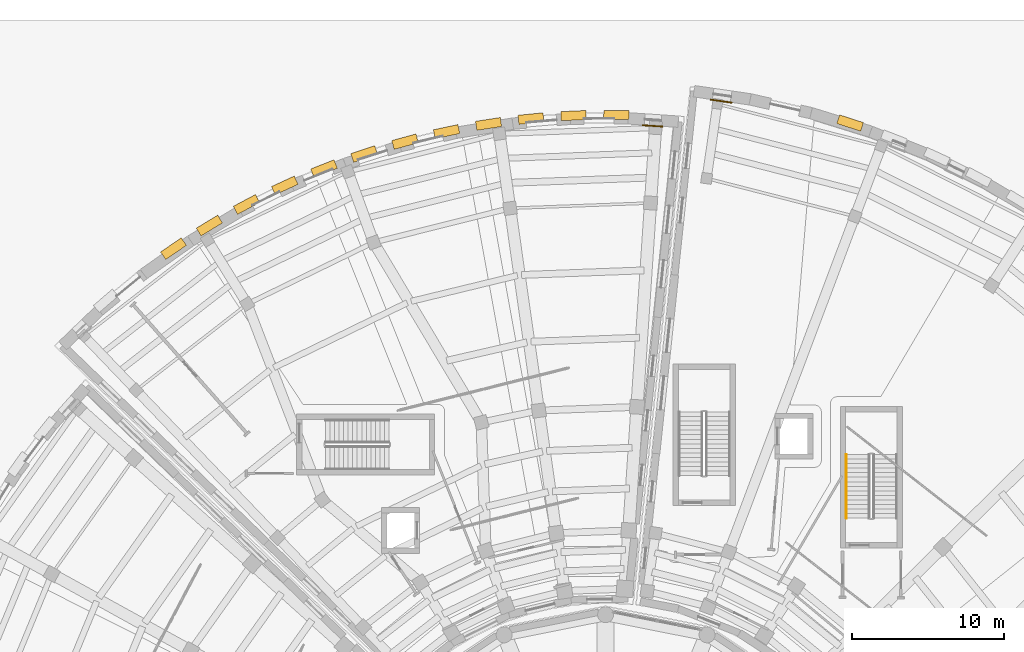
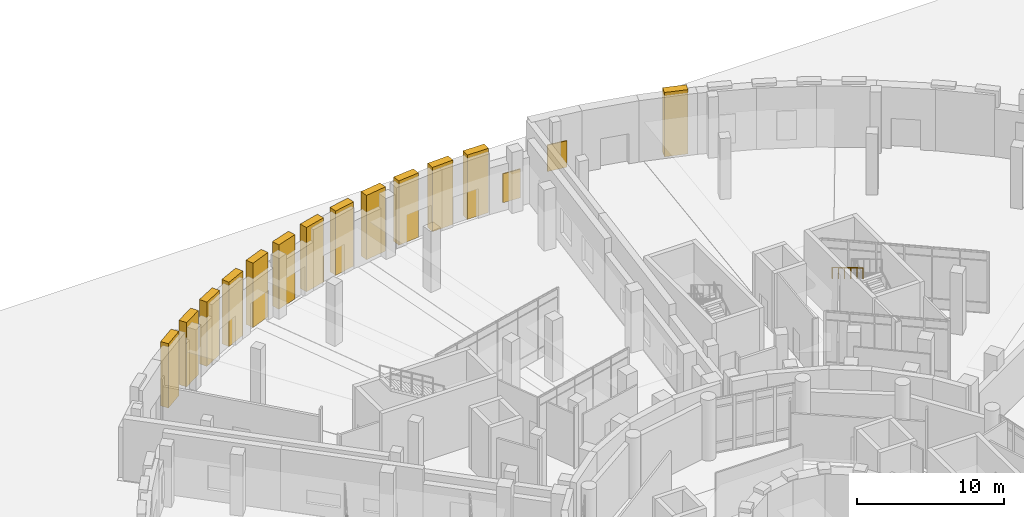
# One storey, part 69 of 74: 15 coverings, 1 railing.
"""IFC4 building model written with IfcOpenShell, lengths in metres."""

from ifc_helpers import new_model, si_unit, direction, frame, origin, origin_2d, place, context, subcontext, project, spatial, rectangle, circle, extrude, material, type_object, element, save


model = new_model("IFC4")

# Units and contexts
model_context = context("Model", 3, precision=1e-05, world=origin(), true_north=direction((0.0, 1.0)))
body_context = subcontext(model_context, "Body", "Model", "MODEL_VIEW")
ifc_project = project(units=[si_unit("LENGTHUNIT", "METRE"), si_unit("AREAUNIT", "SQUARE_METRE"), si_unit("VOLUMEUNIT", "CUBIC_METRE"), si_unit("PLANEANGLEUNIT", "RADIAN"), si_unit("MASSUNIT", "GRAM", prefix="KILO")], contexts=[model_context])

# Site, building, storey
site_placement = place(None, origin())
site = spatial("IfcSite", under=ifc_project, at=site_placement, CompositionType="ELEMENT")
building_placement = place(site_placement, origin())
building = spatial("IfcBuilding", under=site, at=building_placement, Name="Soyqirgoq Riverine Aquarium", CompositionType="ELEMENT")
storey_placement = place(building_placement, origin())
storey = spatial("IfcBuildingStorey", under=building, at=storey_placement, Name="L01", CompositionType="ELEMENT", Elevation=0.0)

# Coverings
ifc_material_1 = material(Name="Anodised extruded aluminium sunshade", Category="aluminium")
covering_type_1 = type_object("IfcCoveringType", Name="SolarShadingLouvre_450", PredefinedType="USERDEFINED", material=ifc_material_1)
covering_1_placement = place(storey_placement, frame((59.094482421875, 106.628173828125, 0.75), z_axis=(0.0, 0.0, 1.0), x_axis=(0.997766630584, -0.066796338919, 0.0)))
element("IfcCovering", 1, at=covering_1_placement, inside=storey, type_object=covering_type_1, Name="V4 L01 Travertine Niche Solar Shade 0042", ObjectType="SOLAR_SHADING", PredefinedType="USERDEFINED", context=body_context, shape_type="SweptSolid", body=[
    extrude(rectangle(XDim=1.340087890625, YDim=0.080078125, at=origin_2d()), origin(), (0.0, 0.0, 1.0), 2.39990234375),
])
covering_2_placement = place(storey_placement, frame((63.614013671875, 108.25732421875, 0.75), z_axis=(0.0, 0.0, 1.0), x_axis=(0.98965138682, -0.143492621991, 0.0)))
element("IfcCovering", 2, at=covering_2_placement, inside=storey, type_object=covering_type_1, Name="V5 L01 Travertine Niche Solar Shade 0066", ObjectType="SOLAR_SHADING", PredefinedType="USERDEFINED", context=body_context, shape_type="SweptSolid", body=[
    extrude(rectangle(XDim=1.43994140625, YDim=0.080078125, at=origin_2d()), origin(), (0.0, 0.0, 1.0), 2.199951171875),
])

# Railing
ifc_material_2 = material(Name="Brushed stainless steel 316L tubular handrail", Category="steel")
railing_type = type_object("IfcRailingType", Name="StairPitchHandrail_920", PredefinedType="HANDRAIL", material=ifc_material_2)
railing_placement = place(storey_placement, frame((71.85009765625, 85.0, 2.8798828125)))
element("IfcRailing", 3, at=railing_placement, inside=storey, type_object=railing_type, Name="L01 ST-6 stair handrail 2", PredefinedType="HANDRAIL", context=body_context, shape_type="SweptSolid", body=[
    extrude(circle(Radius=0.02392578125, at=origin_2d()), frame((0.0, 0.0, 0.89990234375), z_axis=(0.0, -0.857488527567, 0.514503085598), x_axis=(1.0, 0.0, 0.0)), (0.0, 0.0, 1.0), 4.89794921875),
    extrude(circle(Radius=0.02099609375, at=origin_2d()), origin(), (0.0, 0.0, 1.0), 0.875732421875),
    extrude(circle(Radius=0.02099609375, at=origin_2d()), frame((0.0, -0.840087890625, 0.50390625)), (0.0, 0.0, 1.0), 0.875732421875),
    extrude(circle(Radius=0.02099609375, at=origin_2d()), frame((0.0, -1.679931640625, 1.008056640625)), (0.0, 0.0, 1.0), 0.875732421875),
    extrude(circle(Radius=0.02099609375, at=origin_2d()), frame((0.0, -2.52001953125, 1.511962890625)), (0.0, 0.0, 1.0), 0.875732421875),
    extrude(circle(Radius=0.02099609375, at=origin_2d()), frame((0.0, -3.35986328125, 2.01611328125)), (0.0, 0.0, 1.0), 0.875732421875),
    extrude(circle(Radius=0.02099609375, at=origin_2d()), frame((0.0, -4.199951171875, 2.52001953125)), (0.0, 0.0, 1.0), 0.875732421875),
])

# Coverings
ifc_material_3 = material(Name="Honed Uzbek travertine limestone vertical niche pier", Category="masonry")
covering_type_2 = type_object("IfcCoveringType", Name="TravertineNichePier_550", PredefinedType="CLADDING", material=ifc_material_3)
for number, where, z_axis, x_axis, name in (
    (4, (56.702880859375, 107.34521484375, 0.0), (0.0, 0.0, 1.0), (0.013962180339, 0.999902524009, 0.0), "V4 L01 Travertine Vertical Niche Pier 063"),
    (5, (53.8916015625, 107.305908203125, 0.0), (0.0, 0.0, 1.0), (-0.041875653729, 0.999122830099, 0.0), "V4 L01 Travertine Vertical Niche Pier 064"),
    (6, (51.086669921875, 107.109619140625, 0.0), (0.0, 0.0, 1.0), (-0.097582899759, 0.995227399982, 0.0), "V4 L01 Travertine Vertical Niche Pier 065"),
    (7, (48.297119140625, 106.75732421875, 0.0), (0.0, 0.0, 1.0), (-0.152985836284, 0.988228381447, 0.0), "V4 L01 Travertine Vertical Niche Pier 066"),
    (8, (45.531494140625, 106.249755859375, 0.0), (0.0, 0.0, 1.0), (-0.207911690818, 0.978147600734, 0.0), "V4 L01 Travertine Vertical Niche Pier 067"),
    (9, (42.798828125, 105.588623046875, 0.0), (0.0, 0.0, 1.0), (-0.262189178641, 0.965016494472, 0.0), "V4 L01 Travertine Vertical Niche Pier 068"),
    (10, (40.107177734375, 104.77587890625, 0.0), (0.0, 0.0, 1.0), (-0.315649036947, 0.948876011644, 0.0), "V4 L01 Travertine Vertical Niche Pier 069"),
    (11, (37.46484375, 103.814208984375, 0.0), (0.0, 0.0, 1.0), (-0.368124552685, 0.929776485888, 0.0), "V4 L01 Travertine Vertical Niche Pier 070"),
    (12, (34.880615234375, 102.70654296875, 0.0), (0.0, 0.0, 1.0), (-0.419452082446, 0.907777478533, 0.0), "V4 L01 Travertine Vertical Niche Pier 071"),
    (13, (32.362060546875, 101.456298828125, 0.0), (0.0, 0.0, 1.0), (-0.469471562786, 0.882947592859, 0.0), "V4 L01 Travertine Vertical Niche Pier 072"),
    (14, (29.917236328125, 100.067626953125, 0.0), (0.0, 0.0, 1.0), (-0.518027009373, 0.855364260161, 0.0), "V4 L01 Travertine Vertical Niche Pier 073"),
    (15, (27.553955078125, 98.54443359375, 0.0), (0.0, 0.0, 1.0), (-0.564967003425, 0.825113498278, 0.0), "V4 L01 Travertine Vertical Niche Pier 074"),
    (16, (72.0966796875, 106.813720703125, 0.0), (0.0, 0.0, 1.0), (0.307522697673, 0.951540745537, 0.0), "V5 L01 Travertine Vertical Niche Pier 128"),
):
    element("IfcCovering", number, at=place(storey_placement, frame(where, z_axis=z_axis, x_axis=x_axis)), inside=storey, type_object=covering_type_2, Name=name, PredefinedType="CLADDING", context=body_context, shape_type="SweptSolid", body=[
        extrude(rectangle(XDim=0.60009765625, YDim=1.64990234375, at=origin_2d()), origin(), (0.0, 0.0, 1.0), 5.35009765625),
    ])

save(model, "model.ifc")
